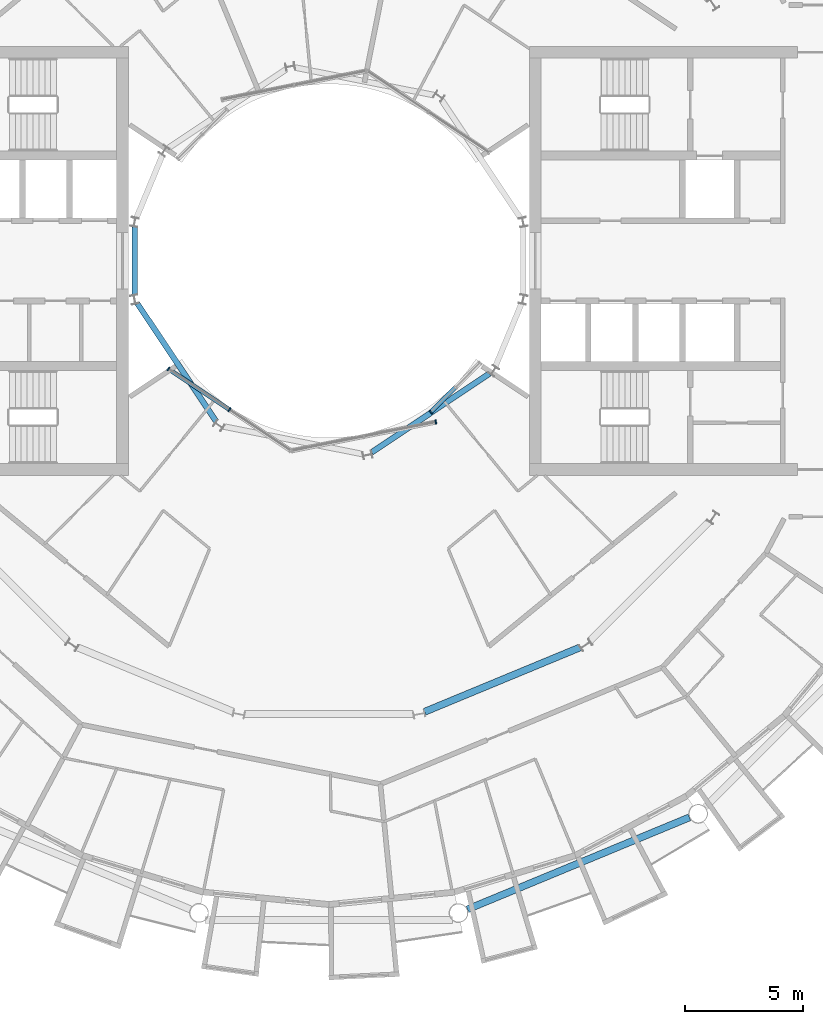
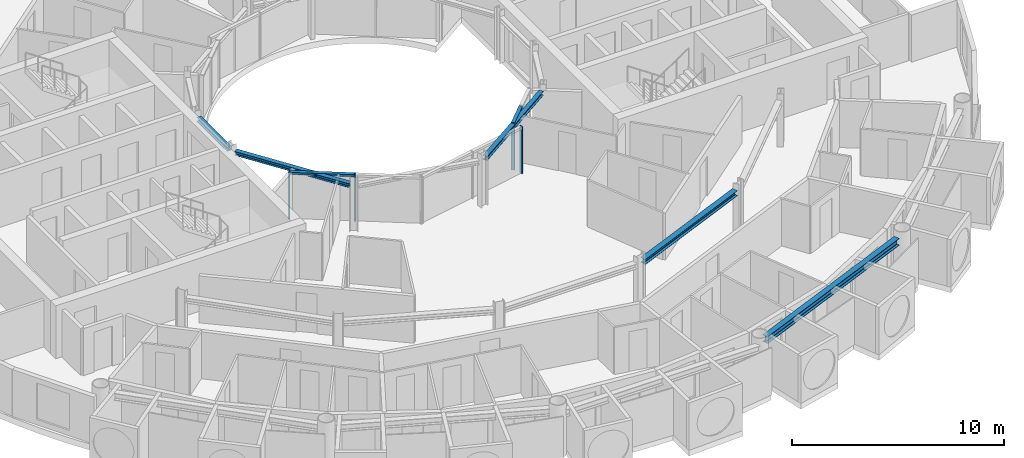
# One storey, part 6 of 27: 6 members, 5 beams, 3 elements without a shape of their own.
"""IFC4 building model written with IfcOpenShell, lengths in metres."""

from ifc_helpers import new_model, si_unit, direction, frame, origin, origin_2d, place, context, subcontext, project, spatial, rectangle, i_section, extrude, material, layer, layer_set, material_profile, profile_set, type_object, element, aggregate, save


model = new_model("IFC4")

# Units and contexts
model_context = context("Model", 3, precision=1e-05, world=origin(), true_north=direction((0.0, 1.0)))
body_context = subcontext(model_context, "Body", "Model", "MODEL_VIEW")
ifc_project = project(units=[si_unit("LENGTHUNIT", "METRE"), si_unit("AREAUNIT", "SQUARE_METRE"), si_unit("VOLUMEUNIT", "CUBIC_METRE"), si_unit("PLANEANGLEUNIT", "RADIAN"), si_unit("MASSUNIT", "GRAM", prefix="KILO")], contexts=[model_context])

# Site, building, storey
site_placement = place(None, origin())
site = spatial("IfcSite", under=ifc_project, at=site_placement, CompositionType="ELEMENT")
building_placement = place(site_placement, origin())
building = spatial("IfcBuilding", under=site, at=building_placement, Name="Maasbend Ring Residences", CompositionType="ELEMENT")
storey_placement = place(building_placement, frame((0.0, 0.0, 145.199951171875)))
storey = spatial("IfcBuildingStorey", under=building, at=storey_placement, Name="L41", CompositionType="ELEMENT", Elevation=145.199951171875)

# Curtain wall, members
ifc_material_1 = material(Name="Aluminium and clear glass", Category="aluminium")
ifc_layer = layer(ifc_material_1, 0.179931640625)
ifc_layer_set = layer_set([ifc_layer], Name="CW-W")
curtain_wall_type = type_object("IfcCurtainWallType", Name="CW-W", PredefinedType="NOTDEFINED", material=ifc_layer_set)
curtain_wall_1_placement = place(storey_placement, origin())
curtain_wall_1 = element("IfcCurtainWall", 1, at=curtain_wall_1_placement, inside=storey, type_object=curtain_wall_type, Name="Well curtain wall S1", PredefinedType="NOTDEFINED")
ifc_material_2 = material(Name="Aluminium 6063-T6", Category="aluminium")
ifc_material_profile_1 = material_profile(ifc_material_2, rectangle(XDim=0.179931640625, YDim=0.06005859375, at=origin_2d()), Name="AL 180x60")
ifc_profile_set_1 = profile_set([ifc_material_profile_1], Name="Aluminium 6063-T6")
member_type_1 = type_object("IfcMemberType", Name="CWM-W", PredefinedType="MULLION", material=ifc_profile_set_1)
member_1_placement = place(storey_placement, frame((-6.805908203125, -4.580810546875, 0.0), z_axis=(0.0, 0.0, 1.0), x_axis=(0.55557023302, 0.831469612303, 0.0)))
member_1 = element("IfcMember", 2, at=member_1_placement, type_object=member_type_1, Name="Mullion well face", PredefinedType="MULLION", context=body_context, shape_type="SweptSolid", body=[
    extrude(rectangle(XDim=0.179931640625, YDim=0.06005859375, at=origin_2d()), origin(), (0.0, 0.0, 1.0), 2.699951171875),
])
member_2_placement = place(storey_placement, frame((-4.216796875, -6.310791015625, 0.0), z_axis=(0.0, 0.0, 1.0), x_axis=(0.55557023302, 0.831469612303, 0.0)))
member_2 = element("IfcMember", 3, at=member_2_placement, type_object=member_type_1, Name="Mullion well face", PredefinedType="MULLION", context=body_context, shape_type="SweptSolid", body=[
    extrude(rectangle(XDim=0.179931640625, YDim=0.06005859375, at=origin_2d()), origin(), (0.0, 0.0, 1.0), 2.699951171875),
])

# Curtain wall, member
curtain_wall_2_placement = place(storey_placement, origin())
curtain_wall_2 = element("IfcCurtainWall", 4, at=curtain_wall_2_placement, inside=storey, type_object=curtain_wall_type, Name="Well curtain wall S2", PredefinedType="NOTDEFINED")
member_3_placement = place(storey_placement, frame((4.53466796875, -6.836669921875, 0.0), z_axis=(0.0, 0.0, 1.0), x_axis=(-0.195090322016, 0.980785280403, 0.0)))
member_3 = element("IfcMember", 5, at=member_3_placement, type_object=member_type_1, Name="Mullion well face", PredefinedType="MULLION", context=body_context, shape_type="SweptSolid", body=[
    extrude(rectangle(XDim=0.179931640625, YDim=0.06005859375, at=origin_2d()), origin(), (0.0, 0.0, 1.0), 2.699951171875),
])
aggregate(curtain_wall_2, [member_3])

curtain_wall_3_placement = place(storey_placement, origin())
curtain_wall_3 = element("IfcCurtainWall", 6, at=curtain_wall_3_placement, inside=storey, type_object=curtain_wall_type, Name="Well curtain wall S3", PredefinedType="NOTDEFINED")
member_4_placement = place(storey_placement, frame((4.320556640625, -6.413330078125, 0.0), z_axis=(0.0, 0.0, 1.0), x_axis=(-0.707106781187, 0.707106781187, 0.0)))
member_4 = element("IfcMember", 7, at=member_4_placement, type_object=member_type_1, Name="Mullion well face", PredefinedType="MULLION", context=body_context, shape_type="SweptSolid", body=[
    extrude(rectangle(XDim=0.179931640625, YDim=0.06005859375, at=origin_2d()), origin(), (0.0, 0.0, 1.0), 2.699951171875),
])

# Member
ifc_material_3 = material(Name="Aluminium 6063-T6", Category="aluminium")
ifc_material_profile_2 = material_profile(ifc_material_3, rectangle(XDim=0.179931640625, YDim=0.1201171875, at=origin_2d()), Name="AL 180x120")
ifc_profile_set_2 = profile_set([ifc_material_profile_2], Name="Aluminium 6063-T6")
member_type_2 = type_object("IfcMemberType", Name="CWT-W", PredefinedType="USERDEFINED", material=ifc_profile_set_2)
member_5_placement = place(storey_placement, frame((-6.781005859375, -4.59765625, 2.64013671875), z_axis=(0.831496422459, -0.555530106689, 0.0), x_axis=(0.555530106689, 0.831496422459, 0.0)))
member_5 = element("IfcMember", 8, at=member_5_placement, type_object=member_type_2, Name="Transom well face", ObjectType="TRANSOM", PredefinedType="USERDEFINED", context=body_context, shape_type="SweptSolid", body=[
    extrude(rectangle(XDim=0.179931640625, YDim=0.1201171875, at=origin_2d()), origin(), (0.0, 0.0, 1.0), 3.053955078125),
])

aggregate(curtain_wall_1, [member_1, member_2, member_5])

member_6_placement = place(storey_placement, frame((4.341796875, -6.39208984375, 2.64013671875), z_axis=(0.707106781187, 0.707106781187, 0.0), x_axis=(-0.707106781187, 0.707106781187, 0.0)))
member_6 = element("IfcMember", 9, at=member_6_placement, type_object=member_type_2, Name="Transom well face", ObjectType="TRANSOM", PredefinedType="USERDEFINED", context=body_context, shape_type="SweptSolid", body=[
    extrude(rectangle(XDim=0.179931640625, YDim=0.1201171875, at=origin_2d()), origin(), (0.0, 0.0, 1.0), 1.419677734375),
])

aggregate(curtain_wall_3, [member_4, member_6])

# Beams
ifc_material_4 = material(Name="Steel S355J2", Category="steel")
ifc_material_profile_3 = material_profile(ifc_material_4, i_section(OverallWidth=0.300048828125, OverallDepth=0.2900390625, WebThickness=0.008544921875, FlangeThickness=0.013916015625, FilletRadius=0.027099609375, at=origin_2d()), Name="HEA 300")
ifc_profile_set_3 = profile_set([ifc_material_profile_3], Name="Steel S355J2")
beam_type_1 = type_object("IfcBeamType", Name="Corridor ring beam HEA 300", PredefinedType="BEAM", material=ifc_profile_set_3)
beam_1_placement = place(storey_placement, frame((4.059326171875, -19.1259765625, 2.554931640625), z_axis=(0.923871339849, 0.382703210602, 0.0), x_axis=(-0.382703210602, 0.923871339849, 0.0)))
element("IfcBeam", 10, at=beam_1_placement, inside=storey, type_object=beam_type_1, Name="Corridor ring beam", PredefinedType="BEAM", context=body_context, shape_type="SweptSolid", body=[
    extrude(i_section(OverallWidth=0.300048828125, OverallDepth=0.2900390625, WebThickness=0.008544921875, FlangeThickness=0.013916015625, FilletRadius=0.027099609375, at=origin_2d()), origin(), (0.0, 0.0, 1.0), 7.137939453125),
])
ifc_material_5 = material(Name="Steel S355J2", Category="steel")
ifc_material_profile_4 = material_profile(ifc_material_5, i_section(OverallWidth=0.300048828125, OverallDepth=0.39990234375, WebThickness=0.013427734375, FlangeThickness=0.02392578125, FilletRadius=0.027099609375, at=origin_2d()), Name="HEB 400")
ifc_profile_set_4 = profile_set([ifc_material_profile_4], Name="Steel S355J2")
beam_type_2 = type_object("IfcBeamType", Name="Spandrel ring beam HEB 400", PredefinedType="SPANDREL", material=ifc_profile_set_4)
beam_2_placement = place(storey_placement, frame((5.877197265625, -27.50244140625, 2.5), z_axis=(0.923883676188, 0.382673428492, 0.0), x_axis=(-0.382673428492, 0.923883676188, 0.0)))
element("IfcBeam", 11, at=beam_2_placement, inside=storey, type_object=beam_type_2, Name="Spandrel ring beam", PredefinedType="SPANDREL", context=body_context, shape_type="SweptSolid", body=[
    extrude(i_section(OverallWidth=0.300048828125, OverallDepth=0.39990234375, WebThickness=0.013427734375, FlangeThickness=0.02392578125, FilletRadius=0.027099609375, at=origin_2d()), origin(), (0.0, 0.0, 1.0), 10.18994140625),
])
ifc_material_6 = material(Name="Steel S355J2", Category="steel")
ifc_material_profile_5 = material_profile(ifc_material_6, i_section(OverallWidth=0.239990234375, OverallDepth=0.22998046875, WebThickness=0.007568359375, FlangeThickness=0.011962890625, FilletRadius=0.02099609375, at=origin_2d()), Name="HEA 240")
ifc_profile_set_5 = profile_set([ifc_material_profile_5], Name="Steel S355J2")
beam_type_3 = type_object("IfcBeamType", Name="Well edge beam HEA 240", PredefinedType="BEAM", material=ifc_profile_set_5)
beam_3_placement = place(storey_placement, frame((-8.238525390625, 1.43994140625, 2.5849609375), z_axis=(0.0, -1.0, 0.0), x_axis=(1.0, 0.0, 0.0)))
element("IfcBeam", 12, at=beam_3_placement, inside=storey, type_object=beam_type_3, Name="Well edge beam", PredefinedType="BEAM", context=body_context, shape_type="SweptSolid", body=[
    extrude(i_section(OverallWidth=0.239990234375, OverallDepth=0.22998046875, WebThickness=0.007568359375, FlangeThickness=0.011962890625, FilletRadius=0.02099609375, at=origin_2d()), origin(), (0.0, 0.0, 1.0), 2.8798828125),
])
for number, where, z_axis, x_axis, name in (
    (13, (-8.121337890625, -1.814208984375, 2.5849609375), (0.555553413909, -0.831480850227, 0.0), (0.831480850227, 0.555553413909, 0.0), "Well edge beam"),
    (14, (1.814208984375, -8.121337890625, 2.5849609375), (0.831480850227, 0.555553413909, 0.0), (-0.555553413909, 0.831480850227, 0.0), "Well edge beam"),
):
    element("IfcBeam", number, at=place(storey_placement, frame(where, z_axis=z_axis, x_axis=x_axis)), inside=storey, type_object=beam_type_3, Name=name, PredefinedType="BEAM", context=body_context, shape_type="SweptSolid", body=[
        extrude(i_section(OverallWidth=0.239990234375, OverallDepth=0.22998046875, WebThickness=0.007568359375, FlangeThickness=0.011962890625, FilletRadius=0.02099609375, at=origin_2d()), origin(), (0.0, 0.0, 1.0), 6.0068359375),
    ])

save(model, "model.ifc")
